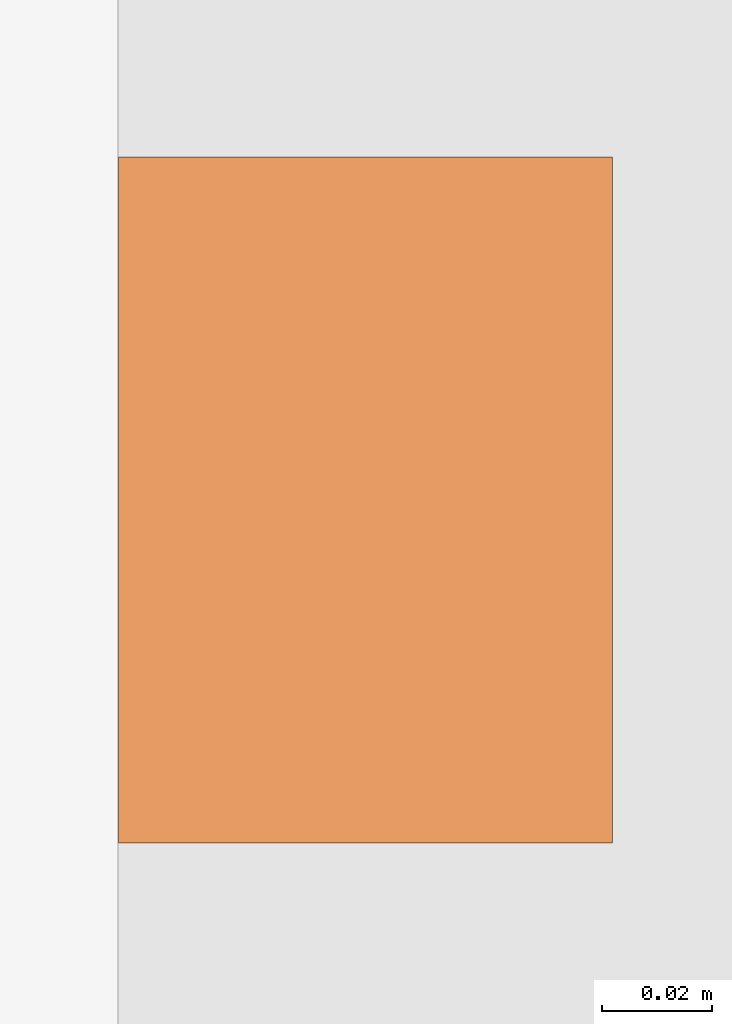
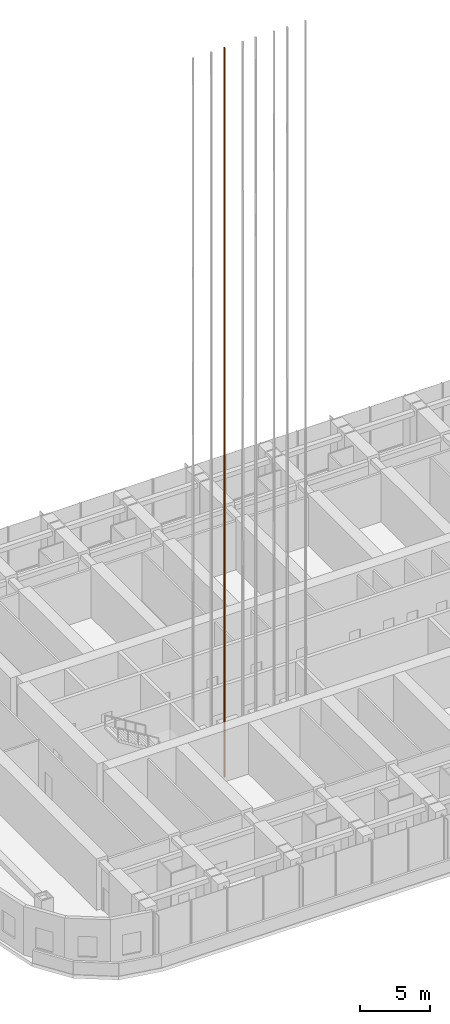
# One storey, part 26 of 31: 1 proxy.
"""IFC4 building model written with IfcOpenShell, lengths in metres."""

import ifcopenshell
import ifcopenshell.guid

model = None  # the IFC model being written
_history = None  # IfcOwnerHistory: only IFC2X3 demands one
_inside = {}  # id of a spatial element -> (the spatial element, [elements in it])
_under = {}  # id of a project, library or spatial element -> (it, [spatial elements below it])
_declared = {}  # id of a project -> (the project, [libraries it declares])
_typed = {}  # id of a type object -> (the type object, [elements of that type])
_made_of = {}  # id of a material, layer set ... -> (it, [elements and type objects made of it])


def new_model(schema):
    """Start an empty IFC model of exactly this schema.

    Asked for "IFC4X3", IfcOpenShell would pick the latest addendum, in which some entities
    have other attributes; the version numbers below select the first issue.
    IFC2X3 requires an IfcOwnerHistory on every rooted entity: one is made here for all.
    """
    global model, _history
    if schema == "IFC4X3":
        model = ifcopenshell.file(schema_version=(4, 3, 0, 0))
    else:
        model = ifcopenshell.file(schema=schema)
    _inside.clear()
    _under.clear()
    _declared.clear()
    _typed.clear()
    _made_of.clear()
    _history = None
    if model.schema == "IFC2X3":
        org = make("IfcOrganization", Name="unknown")
        user = make(
            "IfcPersonAndOrganization",
            ThePerson=make("IfcPerson", FamilyName="unknown"),
            TheOrganization=org,
        )
        app = make(
            "IfcApplication",
            ApplicationDeveloper=org,
            Version="unknown",
            ApplicationFullName="unknown",
            ApplicationIdentifier="unknown",
        )
        _history = make(
            "IfcOwnerHistory",
            OwningUser=user,
            OwningApplication=app,
            ChangeAction="ADDED",
            CreationDate=0,
        )
    return model


def make(cls, **values):
    """One entity of the class cls with the attributes given. An attribute that is None is left unset."""
    return model.create_entity(
        cls, **{name: value for name, value in values.items() if value is not None}
    )


def rooted(cls, **values):
    """An entity with a GlobalId (a new one), such as an element, a storey or a relation."""
    return make(cls, GlobalId=ifcopenshell.guid.new(), OwnerHistory=_history, **values)


def si_unit(unit_type, name, prefix=None):
    """IfcSIUnit, for example si_unit("LENGTHUNIT", "METRE", prefix="MILLI")."""
    return make("IfcSIUnit", UnitType=unit_type, Prefix=prefix, Name=name)


def assignment(units):
    """IfcUnitAssignment: the units of a project."""
    return None if units is None else make("IfcUnitAssignment", Units=units)


def point(xyz):
    """IfcCartesianPoint."""
    return None if xyz is None else make("IfcCartesianPoint", Coordinates=xyz)


def direction(xyz):
    """IfcDirection."""
    return None if xyz is None else make("IfcDirection", DirectionRatios=xyz)


def frame(location, z_axis=None, x_axis=None):
    """IfcAxis2Placement3D, a coordinate frame: its origin and axes. An axis left out is left unset."""
    return make(
        "IfcAxis2Placement3D",
        Location=point(location),
        Axis=direction(z_axis),
        RefDirection=direction(x_axis),
    )


def frame_2d(location, x_axis=None):
    """IfcAxis2Placement2D, a coordinate frame in the plane: its origin and x axis."""
    return make(
        "IfcAxis2Placement2D", Location=point(location), RefDirection=direction(x_axis)
    )


def origin():
    """The frame at (0, 0, 0) with its axes left unset."""
    return frame((0.0, 0.0, 0.0))


def origin_2d():
    """The frame at (0, 0) in the plane with its x axis left unset."""
    return frame_2d((0.0, 0.0))


def place(relative_to, where):
    """IfcLocalPlacement: puts the frame where relative to a parent placement (None: the world)."""
    return make(
        "IfcLocalPlacement", PlacementRelTo=relative_to, RelativePlacement=where
    )


def context(
    kind, dimensions, precision=None, world=None, true_north=None, identifier=None
):
    """IfcGeometricRepresentationContext, for example the 3D "Model" context."""
    return make(
        "IfcGeometricRepresentationContext",
        ContextIdentifier=identifier,
        ContextType=kind,
        CoordinateSpaceDimension=dimensions,
        Precision=precision,
        WorldCoordinateSystem=world,
        TrueNorth=true_north,
    )


def subcontext(parent, identifier, kind, view, scale=None):
    """IfcGeometricRepresentationSubContext, for example "Body" below "Model"."""
    return make(
        "IfcGeometricRepresentationSubContext",
        ContextIdentifier=identifier,
        ContextType=kind,
        ParentContext=parent,
        TargetScale=scale,
        TargetView=view,
    )


def project(units=None, contexts=None):
    """IfcProject with its units and contexts."""
    return rooted(
        "IfcProject",
        Name="project",
        RepresentationContexts=contexts,
        UnitsInContext=assignment(units),
    )


def spatial(cls, under=None, at=None, **own):
    """A site, building, storey or space (cls), placed at a placement, below another one or the project."""
    s = rooted(cls, ObjectPlacement=at, **own)
    if under is not None:
        _under.setdefault(under.id(), (under, []))[1].append(s)
    return s


def profile(cls, at=None, kind="AREA", **sizes):
    """A parametric profile (cls). Its sizes go by their IFC names, for example OverallWidth=200.0."""
    return make(cls, ProfileType=kind, Position=at, **sizes)


def rectangle(**sizes):
    """IfcRectangleProfileDef."""
    return profile("IfcRectangleProfileDef", **sizes)


def extrude(swept, where, along, depth):
    """IfcExtrudedAreaSolid: the profile swept, set in the frame where, extruded along a direction by depth."""
    return make(
        "IfcExtrudedAreaSolid",
        SweptArea=swept,
        Position=where,
        ExtrudedDirection=direction(along),
        Depth=depth,
    )


def shape(context_of_items, identifier, shape_type, items):
    """IfcShapeRepresentation: the items that make up one representation, for example the "Body"."""
    return make(
        "IfcShapeRepresentation",
        ContextOfItems=context_of_items,
        RepresentationIdentifier=identifier,
        RepresentationType=shape_type,
        Items=items,
    )


def material(Name=None, Category=None):
    """IfcMaterial."""
    return make("IfcMaterial", Name=Name, Category=Category)


def made_of(thing, what):
    """Note that an element or type object is made of a material, layer set ...; save() writes the relation."""
    if what is not None:
        _made_of.setdefault(what.id(), (what, []))[1].append(thing)
    return thing


def element(
    cls,
    number,
    at=None,
    inside=None,
    cuts=None,
    type_object=None,
    material=None,
    context=None,
    identifier="Body",
    shape_type=None,
    held_by="IfcProductDefinitionShape",
    body=None,
    shapes=None,
    **own,
):
    """One element of the class cls, such as IfcWall. Its Tag is "e" and its number.

    at: its placement. inside: the storey or other place that contains it. cuts: it is an
    opening in that element (IfcRelVoidsElement). A single representation is given by context,
    identifier, shape_type and body (its items); several are given by shapes. held_by: the class
    of the entity that holds the representations. save() writes the other relations.
    """
    e = rooted(cls, Tag="e%d" % number, ObjectPlacement=at, **own)
    if body is not None:
        shapes = [shape(context, identifier, shape_type, body)]
    if shapes is not None:
        e.Representation = make(held_by, Representations=shapes)
    if inside is not None:
        _inside.setdefault(inside.id(), (inside, []))[1].append(e)
    if cuts is not None:
        rooted(
            "IfcRelVoidsElement", RelatingBuildingElement=cuts, RelatedOpeningElement=e
        )
    if type_object is not None:
        _typed.setdefault(type_object.id(), (type_object, []))[1].append(e)
    return made_of(e, material)


def aggregate(whole, parts):
    """IfcRelAggregates: a whole, such as a stair, and the parts it consists of."""
    return rooted("IfcRelAggregates", RelatingObject=whole, RelatedObjects=parts)


def save(model, path):
    """Write the relations noted so far, then the file.

    IfcRelAggregates (storeys below a building ...), IfcRelContainedInSpatialStructure (elements
    in a storey), IfcRelDefinesByType, IfcRelAssociatesMaterial and IfcRelDeclares: one each for
    every whole, place, type object, material and project.
    """
    for whole, parts in _under.values():
        aggregate(whole, parts)
    for where, things in _inside.values():
        rooted(
            "IfcRelContainedInSpatialStructure",
            RelatedElements=things,
            RelatingStructure=where,
        )
    for kind, things in _typed.values():
        rooted("IfcRelDefinesByType", RelatedObjects=things, RelatingType=kind)
    for what, things in _made_of.values():
        rooted("IfcRelAssociatesMaterial", RelatedObjects=things, RelatingMaterial=what)
    for by, libraries in _declared.values():
        rooted("IfcRelDeclares", RelatingContext=by, RelatedDefinitions=libraries)
    model.write(path)


model = new_model("IFC4")

# Units and contexts
model_context = context("Model", 3, precision=1e-05, world=origin(), true_north=direction((0.0, 1.0)))
body_context = subcontext(model_context, "Body", "Model", "MODEL_VIEW")
ifc_project = project(units=[si_unit("LENGTHUNIT", "METRE"), si_unit("AREAUNIT", "SQUARE_METRE"), si_unit("VOLUMEUNIT", "CUBIC_METRE"), si_unit("PLANEANGLEUNIT", "RADIAN"), si_unit("MASSUNIT", "GRAM", prefix="KILO")], contexts=[model_context])

# Site, building, storey
site_placement = place(None, origin())
site = spatial("IfcSite", under=ifc_project, at=site_placement, CompositionType="ELEMENT")
building_placement = place(site_placement, origin())
building = spatial("IfcBuilding", under=site, at=building_placement, Name="Orbita Commons", CompositionType="ELEMENT")
storey_placement = place(building_placement, frame((0.0, 0.0, 76.14990234375)))
storey = spatial("IfcBuildingStorey", under=building, at=storey_placement, Name="L18", CompositionType="ELEMENT", Elevation=76.14990234375)

# Proxy
ifc_material = material(Name="Machined steel guide rail", Category="steel")
placement = place(storey_placement, frame((29.89990234375, 28.10009765625, 0.0), z_axis=(0.0, 0.0, 1.0), x_axis=(1.0, 0.0, 0.0)))
proxy_placement = place(placement, frame((-0.7548828125, 0.0, -1.800048828125)))
element("IfcBuildingElementProxy", 1, at=proxy_placement, inside=storey, material=ifc_material, Name="P22 guide rail 1", ObjectType="GUIDE RAIL", PredefinedType="USERDEFINED", context=body_context, shape_type="SweptSolid", body=[
    extrude(rectangle(XDim=0.09, YDim=0.125, at=origin_2d()), origin(), (0.0, 0.0, 1.0), 63.89990234375),
])

save(model, "model.ifc")
